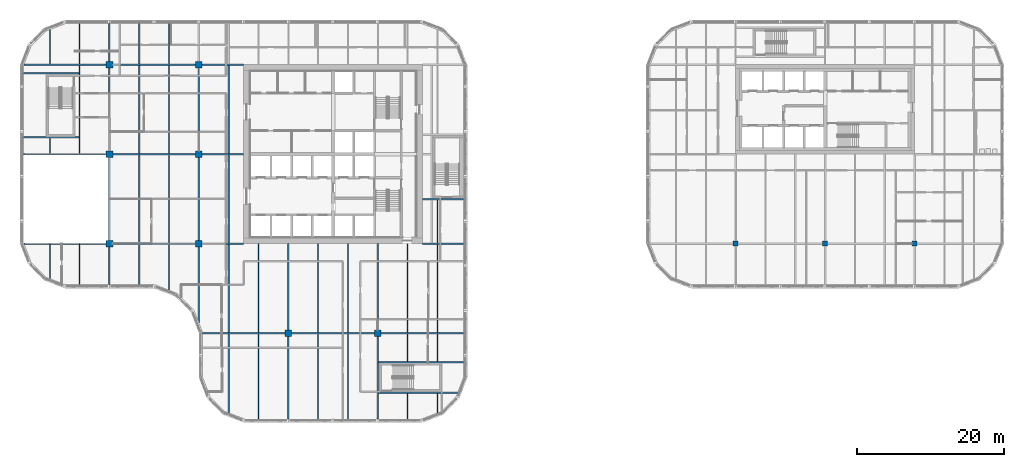
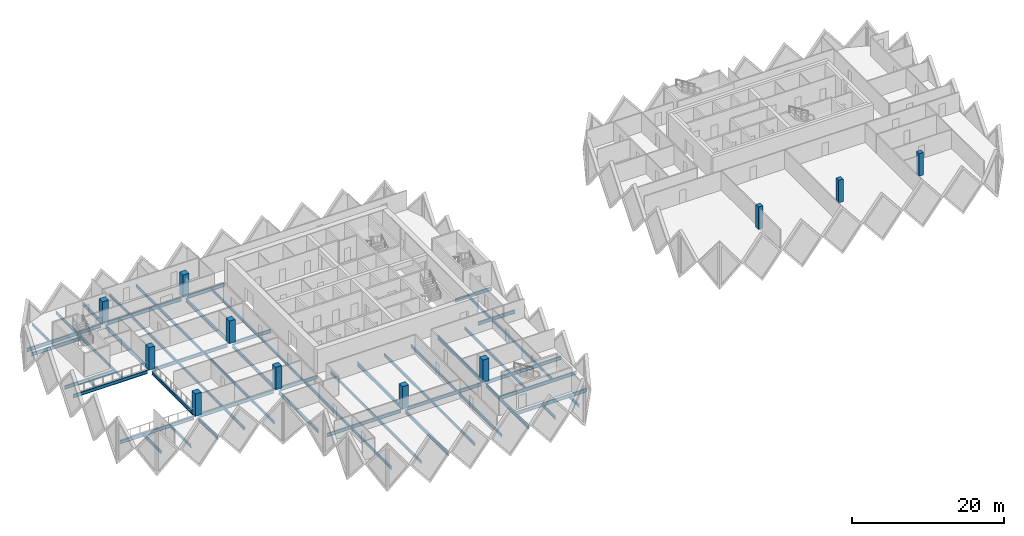
# One storey, part 1 of 19: 60 beams, 11 columns.
"""IFC4 building model written with IfcOpenShell, lengths in metres."""

from ifc_helpers import new_model, si_unit, direction, frame, origin, origin_2d, place, context, subcontext, project, spatial, rectangle, i_section, extrude, material, material_profile, profile_set, type_object, element, save


model = new_model("IFC4")

# Units and contexts
model_context = context("Model", 3, precision=1e-05, world=origin(), true_north=direction((0.0, 1.0)))
body_context = subcontext(model_context, "Body", "Model", "MODEL_VIEW")
ifc_project = project(units=[si_unit("LENGTHUNIT", "METRE"), si_unit("AREAUNIT", "SQUARE_METRE"), si_unit("VOLUMEUNIT", "CUBIC_METRE"), si_unit("PLANEANGLEUNIT", "RADIAN"), si_unit("MASSUNIT", "GRAM", prefix="KILO")], contexts=[model_context])

# Site, building, storey
site_placement = place(None, origin())
site = spatial("IfcSite", under=ifc_project, at=site_placement, CompositionType="ELEMENT")
building_placement = place(site_placement, origin())
building = spatial("IfcBuilding", under=site, at=building_placement, Name="Tessera Gate Towers", CompositionType="ELEMENT")
storey_placement = place(building_placement, frame((0.0, 0.0, 80.0)))
storey = spatial("IfcBuildingStorey", under=building, at=storey_placement, Name="L19", CompositionType="ELEMENT", Elevation=80.0)

# Columns
ifc_material_1 = material(Name="Concrete C70/85", Category="concrete")
ifc_material_profile_1 = material_profile(ifc_material_1, rectangle(XDim=0.699951171875, YDim=0.699951171875, at=origin_2d()), Name="RC 700x700")
ifc_profile_set_1 = profile_set([ifc_material_profile_1], Name="Concrete C70/85")
column_type_1 = type_object("IfcColumnType", Name="COLUMN RC 700x700", PredefinedType="COLUMN", material=ifc_profile_set_1)
for number, where, z_axis, x_axis, name in (
    (1, (97.60009765625, 24.39990234375, 0.0), (0.0, 0.0, 1.0), (1.0, 0.0, 0.0), "T2-COL-9C-L19"),
    (2, (109.800048828125, 24.39990234375, 0.0), (0.0, 0.0, 1.0), (1.0, 0.0, 0.0), "T2-COL-10C-L19"),
    (3, (122.0, 24.39990234375, 0.0), (0.0, 0.0, 1.0), (1.0, 0.0, 0.0), "T2-COL-11C-L19"),
):
    element("IfcColumn", number, at=place(storey_placement, frame(where, z_axis=z_axis, x_axis=x_axis)), inside=storey, type_object=column_type_1, Name=name, PredefinedType="COLUMN", context=body_context, shape_type="SweptSolid", body=[
        extrude(rectangle(XDim=0.699951171875, YDim=0.699951171875, at=origin_2d()), origin(), (0.0, 0.0, 1.0), 3.60009765625),
    ])
ifc_material_2 = material(Name="Concrete C70/85", Category="concrete")
ifc_material_profile_2 = material_profile(ifc_material_2, rectangle(XDim=0.89990234375, YDim=0.89990234375, at=origin_2d()), Name="RC 900x900")
ifc_profile_set_2 = profile_set([ifc_material_profile_2], Name="Concrete C70/85")
column_type_2 = type_object("IfcColumnType", Name="COLUMN RC 900x900", PredefinedType="COLUMN", material=ifc_profile_set_2)
for number, where, z_axis, x_axis, name in (
    (4, (12.199951171875, 24.39990234375, 0.0), (0.0, 0.0, 1.0), (1.0, 0.0, 0.0), "T1-COL-2C-L19"),
    (5, (12.199951171875, 36.60009765625, 0.0), (0.0, 0.0, 1.0), (1.0, 0.0, 0.0), "T1-COL-2D-L19"),
    (6, (12.199951171875, 48.800048828125, 0.0), (0.0, 0.0, 1.0), (1.0, 0.0, 0.0), "T1-COL-2E-L19"),
    (7, (24.39990234375, 24.39990234375, 0.0), (0.0, 0.0, 1.0), (1.0, 0.0, 0.0), "T1-COL-3C-L19"),
    (8, (24.39990234375, 36.60009765625, 0.0), (0.0, 0.0, 1.0), (1.0, 0.0, 0.0), "T1-COL-3D-L19"),
    (9, (24.39990234375, 48.800048828125, 0.0), (0.0, 0.0, 1.0), (1.0, 0.0, 0.0), "T1-COL-3E-L19"),
    (10, (36.60009765625, 12.199951171875, 0.0), (0.0, 0.0, 1.0), (1.0, 0.0, 0.0), "T1-COL-4B-L19"),
    (11, (48.800048828125, 12.199951171875, 0.0), (0.0, 0.0, 1.0), (1.0, 0.0, 0.0), "T1-COL-5B-L19"),
):
    element("IfcColumn", number, at=place(storey_placement, frame(where, z_axis=z_axis, x_axis=x_axis)), inside=storey, type_object=column_type_2, Name=name, PredefinedType="COLUMN", context=body_context, shape_type="SweptSolid", body=[
        extrude(rectangle(XDim=0.89990234375, YDim=0.89990234375, at=origin_2d()), origin(), (0.0, 0.0, 1.0), 3.60009765625),
    ])

# Beams
ifc_material_3 = material(Name="Steel 350W", Category="steel")
ifc_material_profile_3 = material_profile(ifc_material_3, i_section(OverallWidth=0.208984375, OverallDepth=0.532958984375, WebThickness=0.01025390625, FlangeThickness=0.015625, at=origin_2d()), Name="W530x92")
ifc_profile_set_3 = profile_set([ifc_material_profile_3], Name="Steel 350W")
beam_type_1 = type_object("IfcBeamType", Name="FLOOR GIRDER W530x92", PredefinedType="BEAM", material=ifc_profile_set_3)
beam_1_placement = place(storey_placement, frame((24.89892578125, 12.199951171875, -0.466552734375), z_axis=(1.0, 0.0, 0.0), x_axis=(0.0, 1.0, 0.0)))
element("IfcBeam", 12, at=beam_1_placement, inside=storey, type_object=beam_type_1, Name="T1-GD-L19-2582", PredefinedType="BEAM", context=body_context, shape_type="SweptSolid", body=[
    extrude(i_section(OverallWidth=0.208984375, OverallDepth=0.532958984375, WebThickness=0.01025390625, FlangeThickness=0.015625, at=origin_2d()), origin(), (0.0, 0.0, 1.0), 11.2509765625),
])
beam_2_placement = place(storey_placement, frame((37.050048828125, 12.199951171875, -0.466552734375), z_axis=(1.0, 0.0, 0.0), x_axis=(0.0, 1.0, 0.0)))
element("IfcBeam", 13, at=beam_2_placement, inside=storey, type_object=beam_type_1, Name="T1-GD-L19-2583", PredefinedType="BEAM", context=body_context, shape_type="SweptSolid", body=[
    extrude(i_section(OverallWidth=0.208984375, OverallDepth=0.532958984375, WebThickness=0.01025390625, FlangeThickness=0.015625, at=origin_2d()), origin(), (0.0, 0.0, 1.0), 11.300048828125),
])
beam_3_placement = place(storey_placement, frame((49.25, 12.199951171875, -0.466552734375), z_axis=(1.0, 0.0, 0.0), x_axis=(0.0, 1.0, 0.0)))
element("IfcBeam", 14, at=beam_3_placement, inside=storey, type_object=beam_type_1, Name="T1-GD-L19-2584", PredefinedType="BEAM", context=body_context, shape_type="SweptSolid", body=[
    extrude(i_section(OverallWidth=0.208984375, OverallDepth=0.532958984375, WebThickness=0.01025390625, FlangeThickness=0.015625, at=origin_2d()), origin(), (0.0, 0.0, 1.0), 11.2509765625),
])
beam_4_placement = place(storey_placement, frame((0.534912109375, 24.39990234375, -0.466552734375), z_axis=(1.0, 0.0, 0.0), x_axis=(0.0, 1.0, 0.0)))
element("IfcBeam", 15, at=beam_4_placement, inside=storey, type_object=beam_type_1, Name="T1-GD-L19-2585", PredefinedType="BEAM", context=body_context, shape_type="SweptSolid", body=[
    extrude(i_section(OverallWidth=0.208984375, OverallDepth=0.532958984375, WebThickness=0.01025390625, FlangeThickness=0.015625, at=origin_2d()), origin(), (0.0, 0.0, 1.0), 11.215087890625),
])
beam_5_placement = place(storey_placement, frame((12.64990234375, 24.39990234375, -0.466552734375), z_axis=(1.0, 0.0, 0.0), x_axis=(0.0, 1.0, 0.0)))
element("IfcBeam", 16, at=beam_5_placement, inside=storey, type_object=beam_type_1, Name="T1-GD-L19-2586", PredefinedType="BEAM", context=body_context, shape_type="SweptSolid", body=[
    extrude(i_section(OverallWidth=0.208984375, OverallDepth=0.532958984375, WebThickness=0.01025390625, FlangeThickness=0.015625, at=origin_2d()), origin(), (0.0, 0.0, 1.0), 11.300048828125),
])
beam_6_placement = place(storey_placement, frame((24.85009765625, 24.39990234375, -0.466552734375), z_axis=(1.0, 0.0, 0.0), x_axis=(0.0, 1.0, 0.0)))
element("IfcBeam", 17, at=beam_6_placement, inside=storey, type_object=beam_type_1, Name="T1-GD-L19-2587", PredefinedType="BEAM", context=body_context, shape_type="SweptSolid", body=[
    extrude(i_section(OverallWidth=0.208984375, OverallDepth=0.532958984375, WebThickness=0.01025390625, FlangeThickness=0.015625, at=origin_2d()), origin(), (0.0, 0.0, 1.0), 5.64892578125),
])
beam_7_placement = place(storey_placement, frame((54.90087890625, 24.39990234375, -0.466552734375), z_axis=(1.0, 0.0, 0.0), x_axis=(0.0, 1.0, 0.0)))
element("IfcBeam", 18, at=beam_7_placement, inside=storey, type_object=beam_type_1, Name="T1-GD-L19-2588", PredefinedType="BEAM", context=body_context, shape_type="SweptSolid", body=[
    extrude(i_section(OverallWidth=0.208984375, OverallDepth=0.532958984375, WebThickness=0.01025390625, FlangeThickness=0.015625, at=origin_2d()), origin(), (0.0, 0.0, 1.0), 5.60009765625),
])
beam_8_placement = place(storey_placement, frame((0.4990234375, 36.60009765625, -0.466552734375), z_axis=(1.0, 0.0, 0.0), x_axis=(0.0, 1.0, 0.0)))
element("IfcBeam", 19, at=beam_8_placement, inside=storey, type_object=beam_type_1, Name="T1-GD-L19-2589", PredefinedType="BEAM", context=body_context, shape_type="SweptSolid", body=[
    extrude(i_section(OverallWidth=0.208984375, OverallDepth=0.532958984375, WebThickness=0.01025390625, FlangeThickness=0.015625, at=origin_2d()), origin(), (0.0, 0.0, 1.0), 11.2509765625),
])
beam_9_placement = place(storey_placement, frame((12.64990234375, 36.60009765625, -0.466552734375), z_axis=(1.0, 0.0, 0.0), x_axis=(0.0, 1.0, 0.0)))
element("IfcBeam", 20, at=beam_9_placement, inside=storey, type_object=beam_type_1, Name="T1-GD-L19-2590", PredefinedType="BEAM", context=body_context, shape_type="SweptSolid", body=[
    extrude(i_section(OverallWidth=0.208984375, OverallDepth=0.532958984375, WebThickness=0.01025390625, FlangeThickness=0.015625, at=origin_2d()), origin(), (0.0, 0.0, 1.0), 11.300048828125),
])
beam_10_placement = place(storey_placement, frame((24.85009765625, 36.60009765625, -0.466552734375), z_axis=(1.0, 0.0, 0.0), x_axis=(0.0, 1.0, 0.0)))
element("IfcBeam", 21, at=beam_10_placement, inside=storey, type_object=beam_type_1, Name="T1-GD-L19-2591", PredefinedType="BEAM", context=body_context, shape_type="SweptSolid", body=[
    extrude(i_section(OverallWidth=0.208984375, OverallDepth=0.532958984375, WebThickness=0.01025390625, FlangeThickness=0.015625, at=origin_2d()), origin(), (0.0, 0.0, 1.0), 5.65087890625),
])
beam_11_placement = place(storey_placement, frame((0.534912109375, 48.800048828125, -0.466552734375), z_axis=(1.0, 0.0, 0.0), x_axis=(0.0, 1.0, 0.0)))
element("IfcBeam", 22, at=beam_11_placement, inside=storey, type_object=beam_type_1, Name="T1-GD-L19-2593", PredefinedType="BEAM", context=body_context, shape_type="SweptSolid", body=[
    extrude(i_section(OverallWidth=0.208984375, OverallDepth=0.532958984375, WebThickness=0.01025390625, FlangeThickness=0.015625, at=origin_2d()), origin(), (0.0, 0.0, 1.0), 11.215087890625),
])
beam_12_placement = place(storey_placement, frame((12.64990234375, 48.800048828125, -0.466552734375), z_axis=(1.0, 0.0, 0.0), x_axis=(0.0, 1.0, 0.0)))
element("IfcBeam", 23, at=beam_12_placement, inside=storey, type_object=beam_type_1, Name="T1-GD-L19-2594", PredefinedType="BEAM", context=body_context, shape_type="SweptSolid", body=[
    extrude(i_section(OverallWidth=0.208984375, OverallDepth=0.532958984375, WebThickness=0.01025390625, FlangeThickness=0.015625, at=origin_2d()), origin(), (0.0, 0.0, 1.0), 11.300048828125),
])
beam_13_placement = place(storey_placement, frame((24.85009765625, 48.800048828125, -0.466552734375), z_axis=(1.0, 0.0, 0.0), x_axis=(0.0, 1.0, 0.0)))
element("IfcBeam", 24, at=beam_13_placement, inside=storey, type_object=beam_type_1, Name="T1-GD-L19-2595", PredefinedType="BEAM", context=body_context, shape_type="SweptSolid", body=[
    extrude(i_section(OverallWidth=0.208984375, OverallDepth=0.532958984375, WebThickness=0.01025390625, FlangeThickness=0.015625, at=origin_2d()), origin(), (0.0, 0.0, 1.0), 5.64892578125),
])
beam_14_placement = place(storey_placement, frame((12.199951171875, 18.799072265625, -0.466552734375), z_axis=(0.0, 1.0, 0.0), x_axis=(-1.0, 0.0, 0.0)))
element("IfcBeam", 25, at=beam_14_placement, inside=storey, type_object=beam_type_1, Name="T1-GD-L19-2597", PredefinedType="BEAM", context=body_context, shape_type="SweptSolid", body=[
    extrude(i_section(OverallWidth=0.208984375, OverallDepth=0.532958984375, WebThickness=0.01025390625, FlangeThickness=0.015625, at=origin_2d()), origin(), (0.0, 0.0, 1.0), 5.15087890625),
])
beam_15_placement = place(storey_placement, frame((12.199951171875, 24.85009765625, -0.466552734375), z_axis=(0.0, 1.0, 0.0), x_axis=(-1.0, 0.0, 0.0)))
element("IfcBeam", 26, at=beam_15_placement, inside=storey, type_object=beam_type_1, Name="T1-GD-L19-2598", PredefinedType="BEAM", context=body_context, shape_type="SweptSolid", body=[
    extrude(i_section(OverallWidth=0.208984375, OverallDepth=0.532958984375, WebThickness=0.01025390625, FlangeThickness=0.015625, at=origin_2d()), origin(), (0.0, 0.0, 1.0), 11.2998046875),
])
beam_16_placement = place(storey_placement, frame((12.199951171875, 37.050048828125, -0.466552734375), z_axis=(0.0, 1.0, 0.0), x_axis=(-1.0, 0.0, 0.0)))
element("IfcBeam", 27, at=beam_16_placement, inside=storey, type_object=beam_type_1, Name="T1-GD-L19-2599", PredefinedType="BEAM", context=body_context, shape_type="SweptSolid", body=[
    extrude(i_section(OverallWidth=0.208984375, OverallDepth=0.532958984375, WebThickness=0.01025390625, FlangeThickness=0.015625, at=origin_2d()), origin(), (0.0, 0.0, 1.0), 11.300048828125),
])
beam_17_placement = place(storey_placement, frame((12.199951171875, 49.25, -0.466552734375), z_axis=(0.0, 1.0, 0.0), x_axis=(-1.0, 0.0, 0.0)))
element("IfcBeam", 28, at=beam_17_placement, inside=storey, type_object=beam_type_1, Name="T1-GD-L19-2600", PredefinedType="BEAM", context=body_context, shape_type="SweptSolid", body=[
    extrude(i_section(OverallWidth=0.208984375, OverallDepth=0.532958984375, WebThickness=0.01025390625, FlangeThickness=0.015625, at=origin_2d()), origin(), (0.0, 0.0, 1.0), 5.15087890625),
])
beam_18_placement = place(storey_placement, frame((24.39990234375, 13.58642578125, -0.466552734375), z_axis=(0.0, 1.0, 0.0), x_axis=(-1.0, 0.0, 0.0)))
element("IfcBeam", 29, at=beam_18_placement, inside=storey, type_object=beam_type_1, Name="T1-GD-L19-2601", PredefinedType="BEAM", context=body_context, shape_type="SweptSolid", body=[
    extrude(i_section(OverallWidth=0.208984375, OverallDepth=0.532958984375, WebThickness=0.01025390625, FlangeThickness=0.015625, at=origin_2d()), origin(), (0.0, 0.0, 1.0), 10.363525390625),
])
beam_19_placement = place(storey_placement, frame((24.39990234375, 24.85009765625, -0.466552734375), z_axis=(0.0, 1.0, 0.0), x_axis=(-1.0, 0.0, 0.0)))
element("IfcBeam", 30, at=beam_19_placement, inside=storey, type_object=beam_type_1, Name="T1-GD-L19-2602", PredefinedType="BEAM", context=body_context, shape_type="SweptSolid", body=[
    extrude(i_section(OverallWidth=0.208984375, OverallDepth=0.532958984375, WebThickness=0.01025390625, FlangeThickness=0.015625, at=origin_2d()), origin(), (0.0, 0.0, 1.0), 11.2998046875),
])
beam_20_placement = place(storey_placement, frame((24.39990234375, 37.050048828125, -0.466552734375), z_axis=(0.0, 1.0, 0.0), x_axis=(-1.0, 0.0, 0.0)))
element("IfcBeam", 31, at=beam_20_placement, inside=storey, type_object=beam_type_1, Name="T1-GD-L19-2603", PredefinedType="BEAM", context=body_context, shape_type="SweptSolid", body=[
    extrude(i_section(OverallWidth=0.208984375, OverallDepth=0.532958984375, WebThickness=0.01025390625, FlangeThickness=0.015625, at=origin_2d()), origin(), (0.0, 0.0, 1.0), 11.300048828125),
])
beam_21_placement = place(storey_placement, frame((36.60009765625, 0.4990234375, -0.466552734375), z_axis=(0.0, 1.0, 0.0), x_axis=(-1.0, 0.0, 0.0)))
element("IfcBeam", 32, at=beam_21_placement, inside=storey, type_object=beam_type_1, Name="T1-GD-L19-2605", PredefinedType="BEAM", context=body_context, shape_type="SweptSolid", body=[
    extrude(i_section(OverallWidth=0.208984375, OverallDepth=0.532958984375, WebThickness=0.01025390625, FlangeThickness=0.015625, at=origin_2d()), origin(), (0.0, 0.0, 1.0), 11.2509765625),
])
beam_22_placement = place(storey_placement, frame((36.60009765625, 12.64990234375, -0.466552734375), z_axis=(0.0, 1.0, 0.0), x_axis=(-1.0, 0.0, 0.0)))
element("IfcBeam", 33, at=beam_22_placement, inside=storey, type_object=beam_type_1, Name="T1-GD-L19-2606", PredefinedType="BEAM", context=body_context, shape_type="SweptSolid", body=[
    extrude(i_section(OverallWidth=0.208984375, OverallDepth=0.532958984375, WebThickness=0.01025390625, FlangeThickness=0.015625, at=origin_2d()), origin(), (0.0, 0.0, 1.0), 11.75),
])
beam_23_placement = place(storey_placement, frame((48.800048828125, 0.4990234375, -0.466552734375), z_axis=(0.0, 1.0, 0.0), x_axis=(-1.0, 0.0, 0.0)))
element("IfcBeam", 34, at=beam_23_placement, inside=storey, type_object=beam_type_1, Name="T1-GD-L19-2607", PredefinedType="BEAM", context=body_context, shape_type="SweptSolid", body=[
    extrude(i_section(OverallWidth=0.208984375, OverallDepth=0.532958984375, WebThickness=0.01025390625, FlangeThickness=0.015625, at=origin_2d()), origin(), (0.0, 0.0, 1.0), 11.2509765625),
])
beam_24_placement = place(storey_placement, frame((48.800048828125, 12.64990234375, -0.466552734375), z_axis=(0.0, 1.0, 0.0), x_axis=(-1.0, 0.0, 0.0)))
element("IfcBeam", 35, at=beam_24_placement, inside=storey, type_object=beam_type_1, Name="T1-GD-L19-2608", PredefinedType="BEAM", context=body_context, shape_type="SweptSolid", body=[
    extrude(i_section(OverallWidth=0.208984375, OverallDepth=0.532958984375, WebThickness=0.01025390625, FlangeThickness=0.015625, at=origin_2d()), origin(), (0.0, 0.0, 1.0), 11.75),
])
for number, where, z_axis, x_axis, name in (
    (36, (0.4990234375, 38.8798828125, -0.466552734375), (1.0, 0.0, 0.0), (0.0, 1.0, 0.0), "T1-GD-L19-2609"),
    (37, (0.4990234375, 47.6201171875, -0.466552734375), (1.0, 0.0, 0.0), (0.0, 1.0, 0.0), "T1-GD-L19-2610"),
):
    element("IfcBeam", number, at=place(storey_placement, frame(where, z_axis=z_axis, x_axis=x_axis)), inside=storey, type_object=beam_type_1, Name=name, PredefinedType="BEAM", context=body_context, shape_type="SweptSolid", body=[
        extrude(i_section(OverallWidth=0.208984375, OverallDepth=0.532958984375, WebThickness=0.01025390625, FlangeThickness=0.015625, at=origin_2d()), origin(), (0.0, 0.0, 1.0), 7.557861328125),
    ])
beam_25_placement = place(storey_placement, frame((48.87646484375, 4.080078125, -0.466552734375), z_axis=(1.0, 0.0, 0.0), x_axis=(0.0, 1.0, 0.0)))
element("IfcBeam", 38, at=beam_25_placement, inside=storey, type_object=beam_type_1, Name="T1-GD-L19-2611", PredefinedType="BEAM", context=body_context, shape_type="SweptSolid", body=[
    extrude(i_section(OverallWidth=0.208984375, OverallDepth=0.532958984375, WebThickness=0.01025390625, FlangeThickness=0.015625, at=origin_2d()), origin(), (0.0, 0.0, 1.0), 10.809326171875),
])
beam_26_placement = place(storey_placement, frame((48.87646484375, 8.219970703125, -0.466552734375), z_axis=(1.0, 0.0, 0.0), x_axis=(0.0, 1.0, 0.0)))
element("IfcBeam", 39, at=beam_26_placement, inside=storey, type_object=beam_type_1, Name="T1-GD-L19-2612", PredefinedType="BEAM", context=body_context, shape_type="SweptSolid", body=[
    extrude(i_section(OverallWidth=0.208984375, OverallDepth=0.532958984375, WebThickness=0.01025390625, FlangeThickness=0.015625, at=origin_2d()), origin(), (0.0, 0.0, 1.0), 11.62451171875),
])
beam_27_placement = place(storey_placement, frame((54.89892578125, 30.47998046875, -0.466552734375), z_axis=(1.0, 0.0, 0.0), x_axis=(0.0, 1.0, 0.0)))
element("IfcBeam", 40, at=beam_27_placement, inside=storey, type_object=beam_type_1, Name="T1-GD-L19-2613", PredefinedType="BEAM", context=body_context, shape_type="SweptSolid", body=[
    extrude(i_section(OverallWidth=0.208984375, OverallDepth=0.532958984375, WebThickness=0.01025390625, FlangeThickness=0.015625, at=origin_2d()), origin(), (0.0, 0.0, 1.0), 5.60205078125),
])
ifc_material_4 = material(Name="Steel 350W", Category="steel")
ifc_material_profile_4 = material_profile(ifc_material_4, i_section(OverallWidth=0.153076171875, OverallDepth=0.455078125, WebThickness=0.008056640625, FlangeThickness=0.01318359375, at=origin_2d()), Name="W460x60")
ifc_profile_set_4 = profile_set([ifc_material_profile_4], Name="Steel 350W")
beam_type_2 = type_object("IfcBeamType", Name="FLOOR SECONDARY W460x60", PredefinedType="BEAM", material=ifc_profile_set_4)
beam_28_placement = place(storey_placement, frame((4.066650390625, 19.620361328125, -0.427490234375), z_axis=(0.0, 1.0, 0.0), x_axis=(-1.0, 0.0, 0.0)))
element("IfcBeam", 41, at=beam_28_placement, inside=storey, type_object=beam_type_2, Name="T1-BM-L19-2616", PredefinedType="BEAM", context=body_context, shape_type="SweptSolid", body=[
    extrude(i_section(OverallWidth=0.153076171875, OverallDepth=0.455078125, WebThickness=0.008056640625, FlangeThickness=0.01318359375, at=origin_2d()), origin(), (0.0, 0.0, 1.0), 4.779541015625),
])
beam_29_placement = place(storey_placement, frame((4.066650390625, 36.70458984375, -0.427490234375), z_axis=(0.0, 1.0, 0.0), x_axis=(-1.0, 0.0, 0.0)))
element("IfcBeam", 42, at=beam_29_placement, inside=storey, type_object=beam_type_2, Name="T1-BM-L19-2617", PredefinedType="BEAM", context=body_context, shape_type="SweptSolid", body=[
    extrude(i_section(OverallWidth=0.153076171875, OverallDepth=0.455078125, WebThickness=0.008056640625, FlangeThickness=0.01318359375, at=origin_2d()), origin(), (0.0, 0.0, 1.0), 2.07080078125),
])
beam_30_placement = place(storey_placement, frame((4.066650390625, 48.904541015625, -0.427490234375), z_axis=(0.0, 1.0, 0.0), x_axis=(-1.0, 0.0, 0.0)))
element("IfcBeam", 43, at=beam_30_placement, inside=storey, type_object=beam_type_2, Name="T1-BM-L19-2618", PredefinedType="BEAM", context=body_context, shape_type="SweptSolid", body=[
    extrude(i_section(OverallWidth=0.153076171875, OverallDepth=0.455078125, WebThickness=0.008056640625, FlangeThickness=0.01318359375, at=origin_2d()), origin(), (0.0, 0.0, 1.0), 4.675048828125),
])
beam_31_placement = place(storey_placement, frame((8.13330078125, 18.800048828125, -0.427490234375), z_axis=(0.0, 1.0, 0.0), x_axis=(-1.0, 0.0, 0.0)))
element("IfcBeam", 44, at=beam_31_placement, inside=storey, type_object=beam_type_2, Name="T1-BM-L19-2619", PredefinedType="BEAM", context=body_context, shape_type="SweptSolid", body=[
    extrude(i_section(OverallWidth=0.153076171875, OverallDepth=0.455078125, WebThickness=0.008056640625, FlangeThickness=0.01318359375, at=origin_2d()), origin(), (0.0, 0.0, 1.0), 5.599853515625),
])
beam_32_placement = place(storey_placement, frame((8.13330078125, 36.70458984375, -0.427490234375), z_axis=(0.0, 1.0, 0.0), x_axis=(-1.0, 0.0, 0.0)))
element("IfcBeam", 45, at=beam_32_placement, inside=storey, type_object=beam_type_2, Name="T1-BM-L19-2620", PredefinedType="BEAM", context=body_context, shape_type="SweptSolid", body=[
    extrude(i_section(OverallWidth=0.153076171875, OverallDepth=0.455078125, WebThickness=0.008056640625, FlangeThickness=0.01318359375, at=origin_2d()), origin(), (0.0, 0.0, 1.0), 11.990966796875),
])
for number, where, z_axis, x_axis, name in (
    (46, (8.13330078125, 48.904541015625, -0.427490234375), (0.0, 1.0, 0.0), (-1.0, 0.0, 0.0), "T1-BM-L19-2621"),
    (47, (16.2666015625, 18.800048828125, -0.427490234375), (0.0, 1.0, 0.0), (-1.0, 0.0, 0.0), "T1-BM-L19-2622"),
):
    element("IfcBeam", number, at=place(storey_placement, frame(where, z_axis=z_axis, x_axis=x_axis)), inside=storey, type_object=beam_type_2, Name=name, PredefinedType="BEAM", context=body_context, shape_type="SweptSolid", body=[
        extrude(i_section(OverallWidth=0.153076171875, OverallDepth=0.455078125, WebThickness=0.008056640625, FlangeThickness=0.01318359375, at=origin_2d()), origin(), (0.0, 0.0, 1.0), 5.495361328125),
    ])
beam_33_placement = place(storey_placement, frame((16.2666015625, 24.50439453125, -0.427490234375), z_axis=(0.0, 1.0, 0.0), x_axis=(-1.0, 0.0, 0.0)))
element("IfcBeam", 48, at=beam_33_placement, inside=storey, type_object=beam_type_2, Name="T1-BM-L19-2623", PredefinedType="BEAM", context=body_context, shape_type="SweptSolid", body=[
    extrude(i_section(OverallWidth=0.153076171875, OverallDepth=0.455078125, WebThickness=0.008056640625, FlangeThickness=0.01318359375, at=origin_2d()), origin(), (0.0, 0.0, 1.0), 11.9912109375),
])
beam_34_placement = place(storey_placement, frame((16.2666015625, 36.70458984375, -0.427490234375), z_axis=(0.0, 1.0, 0.0), x_axis=(-1.0, 0.0, 0.0)))
element("IfcBeam", 49, at=beam_34_placement, inside=storey, type_object=beam_type_2, Name="T1-BM-L19-2624", PredefinedType="BEAM", context=body_context, shape_type="SweptSolid", body=[
    extrude(i_section(OverallWidth=0.153076171875, OverallDepth=0.455078125, WebThickness=0.008056640625, FlangeThickness=0.01318359375, at=origin_2d()), origin(), (0.0, 0.0, 1.0), 11.990966796875),
])
beam_35_placement = place(storey_placement, frame((16.2666015625, 48.904541015625, -0.427490234375), z_axis=(0.0, 1.0, 0.0), x_axis=(-1.0, 0.0, 0.0)))
element("IfcBeam", 50, at=beam_35_placement, inside=storey, type_object=beam_type_2, Name="T1-BM-L19-2625", PredefinedType="BEAM", context=body_context, shape_type="SweptSolid", body=[
    extrude(i_section(OverallWidth=0.153076171875, OverallDepth=0.455078125, WebThickness=0.008056640625, FlangeThickness=0.01318359375, at=origin_2d()), origin(), (0.0, 0.0, 1.0), 5.495361328125),
])
beam_36_placement = place(storey_placement, frame((20.333251953125, 18.051513671875, -0.427490234375), z_axis=(0.0, 1.0, 0.0), x_axis=(-1.0, 0.0, 0.0)))
element("IfcBeam", 51, at=beam_36_placement, inside=storey, type_object=beam_type_2, Name="T1-BM-L19-2626", PredefinedType="BEAM", context=body_context, shape_type="SweptSolid", body=[
    extrude(i_section(OverallWidth=0.153076171875, OverallDepth=0.455078125, WebThickness=0.008056640625, FlangeThickness=0.01318359375, at=origin_2d()), origin(), (0.0, 0.0, 1.0), 6.243896484375),
])
beam_37_placement = place(storey_placement, frame((20.333251953125, 24.50439453125, -0.427490234375), z_axis=(0.0, 1.0, 0.0), x_axis=(-1.0, 0.0, 0.0)))
element("IfcBeam", 52, at=beam_37_placement, inside=storey, type_object=beam_type_2, Name="T1-BM-L19-2627", PredefinedType="BEAM", context=body_context, shape_type="SweptSolid", body=[
    extrude(i_section(OverallWidth=0.153076171875, OverallDepth=0.455078125, WebThickness=0.008056640625, FlangeThickness=0.01318359375, at=origin_2d()), origin(), (0.0, 0.0, 1.0), 11.9912109375),
])
beam_38_placement = place(storey_placement, frame((20.333251953125, 36.70458984375, -0.427490234375), z_axis=(0.0, 1.0, 0.0), x_axis=(-1.0, 0.0, 0.0)))
element("IfcBeam", 53, at=beam_38_placement, inside=storey, type_object=beam_type_2, Name="T1-BM-L19-2628", PredefinedType="BEAM", context=body_context, shape_type="SweptSolid", body=[
    extrude(i_section(OverallWidth=0.153076171875, OverallDepth=0.455078125, WebThickness=0.008056640625, FlangeThickness=0.01318359375, at=origin_2d()), origin(), (0.0, 0.0, 1.0), 11.990966796875),
])
beam_39_placement = place(storey_placement, frame((20.333251953125, 48.904541015625, -0.427490234375), z_axis=(0.0, 1.0, 0.0), x_axis=(-1.0, 0.0, 0.0)))
element("IfcBeam", 54, at=beam_39_placement, inside=storey, type_object=beam_type_2, Name="T1-BM-L19-2629", PredefinedType="BEAM", context=body_context, shape_type="SweptSolid", body=[
    extrude(i_section(OverallWidth=0.153076171875, OverallDepth=0.455078125, WebThickness=0.008056640625, FlangeThickness=0.01318359375, at=origin_2d()), origin(), (0.0, 0.0, 1.0), 5.495361328125),
])
beam_40_placement = place(storey_placement, frame((28.466796875, 1.3203125, -0.427490234375), z_axis=(0.0, 1.0, 0.0), x_axis=(-1.0, 0.0, 0.0)))
element("IfcBeam", 55, at=beam_40_placement, inside=storey, type_object=beam_type_2, Name="T1-BM-L19-2630", PredefinedType="BEAM", context=body_context, shape_type="SweptSolid", body=[
    extrude(i_section(OverallWidth=0.153076171875, OverallDepth=0.455078125, WebThickness=0.008056640625, FlangeThickness=0.01318359375, at=origin_2d()), origin(), (0.0, 0.0, 1.0), 10.775146484375),
])
beam_41_placement = place(storey_placement, frame((28.466796875, 12.304443359375, -0.427490234375), z_axis=(0.0, 1.0, 0.0), x_axis=(-1.0, 0.0, 0.0)))
element("IfcBeam", 56, at=beam_41_placement, inside=storey, type_object=beam_type_2, Name="T1-BM-L19-2631", PredefinedType="BEAM", context=body_context, shape_type="SweptSolid", body=[
    extrude(i_section(OverallWidth=0.153076171875, OverallDepth=0.455078125, WebThickness=0.008056640625, FlangeThickness=0.01318359375, at=origin_2d()), origin(), (0.0, 0.0, 1.0), 11.990966796875),
])
beam_42_placement = place(storey_placement, frame((28.466796875, 24.50439453125, -0.427490234375), z_axis=(0.0, 1.0, 0.0), x_axis=(-1.0, 0.0, 0.0)))
element("IfcBeam", 57, at=beam_42_placement, inside=storey, type_object=beam_type_2, Name="T1-BM-L19-2632", PredefinedType="BEAM", context=body_context, shape_type="SweptSolid", body=[
    extrude(i_section(OverallWidth=0.153076171875, OverallDepth=0.455078125, WebThickness=0.008056640625, FlangeThickness=0.01318359375, at=origin_2d()), origin(), (0.0, 0.0, 1.0), 11.9912109375),
])
beam_43_placement = place(storey_placement, frame((28.466796875, 36.70458984375, -0.427490234375), z_axis=(0.0, 1.0, 0.0), x_axis=(-1.0, 0.0, 0.0)))
element("IfcBeam", 58, at=beam_43_placement, inside=storey, type_object=beam_type_2, Name="T1-BM-L19-2633", PredefinedType="BEAM", context=body_context, shape_type="SweptSolid", body=[
    extrude(i_section(OverallWidth=0.153076171875, OverallDepth=0.455078125, WebThickness=0.008056640625, FlangeThickness=0.01318359375, at=origin_2d()), origin(), (0.0, 0.0, 1.0), 11.990966796875),
])
beam_44_placement = place(storey_placement, frame((32.533203125, 0.5, -0.427490234375), z_axis=(0.0, 1.0, 0.0), x_axis=(-1.0, 0.0, 0.0)))
element("IfcBeam", 59, at=beam_44_placement, inside=storey, type_object=beam_type_2, Name="T1-BM-L19-2635", PredefinedType="BEAM", context=body_context, shape_type="SweptSolid", body=[
    extrude(i_section(OverallWidth=0.153076171875, OverallDepth=0.455078125, WebThickness=0.008056640625, FlangeThickness=0.01318359375, at=origin_2d()), origin(), (0.0, 0.0, 1.0), 11.595458984375),
])
beam_45_placement = place(storey_placement, frame((32.533203125, 12.304443359375, -0.427490234375), z_axis=(0.0, 1.0, 0.0), x_axis=(-1.0, 0.0, 0.0)))
element("IfcBeam", 60, at=beam_45_placement, inside=storey, type_object=beam_type_2, Name="T1-BM-L19-2636", PredefinedType="BEAM", context=body_context, shape_type="SweptSolid", body=[
    extrude(i_section(OverallWidth=0.153076171875, OverallDepth=0.455078125, WebThickness=0.008056640625, FlangeThickness=0.01318359375, at=origin_2d()), origin(), (0.0, 0.0, 1.0), 12.095458984375),
])
beam_46_placement = place(storey_placement, frame((40.666748046875, 0.5, -0.427490234375), z_axis=(0.0, 1.0, 0.0), x_axis=(-1.0, 0.0, 0.0)))
element("IfcBeam", 61, at=beam_46_placement, inside=storey, type_object=beam_type_2, Name="T1-BM-L19-2639", PredefinedType="BEAM", context=body_context, shape_type="SweptSolid", body=[
    extrude(i_section(OverallWidth=0.153076171875, OverallDepth=0.455078125, WebThickness=0.008056640625, FlangeThickness=0.01318359375, at=origin_2d()), origin(), (0.0, 0.0, 1.0), 11.595458984375),
])
beam_47_placement = place(storey_placement, frame((40.666748046875, 12.304443359375, -0.427490234375), z_axis=(0.0, 1.0, 0.0), x_axis=(-1.0, 0.0, 0.0)))
element("IfcBeam", 62, at=beam_47_placement, inside=storey, type_object=beam_type_2, Name="T1-BM-L19-2640", PredefinedType="BEAM", context=body_context, shape_type="SweptSolid", body=[
    extrude(i_section(OverallWidth=0.153076171875, OverallDepth=0.455078125, WebThickness=0.008056640625, FlangeThickness=0.01318359375, at=origin_2d()), origin(), (0.0, 0.0, 1.0), 12.095458984375),
])
beam_48_placement = place(storey_placement, frame((44.7333984375, 0.5, -0.427490234375), z_axis=(0.0, 1.0, 0.0), x_axis=(-1.0, 0.0, 0.0)))
element("IfcBeam", 63, at=beam_48_placement, inside=storey, type_object=beam_type_2, Name="T1-BM-L19-2642", PredefinedType="BEAM", context=body_context, shape_type="SweptSolid", body=[
    extrude(i_section(OverallWidth=0.153076171875, OverallDepth=0.455078125, WebThickness=0.008056640625, FlangeThickness=0.01318359375, at=origin_2d()), origin(), (0.0, 0.0, 1.0), 11.595458984375),
])
beam_49_placement = place(storey_placement, frame((44.7333984375, 12.304443359375, -0.427490234375), z_axis=(0.0, 1.0, 0.0), x_axis=(-1.0, 0.0, 0.0)))
element("IfcBeam", 64, at=beam_49_placement, inside=storey, type_object=beam_type_2, Name="T1-BM-L19-2643", PredefinedType="BEAM", context=body_context, shape_type="SweptSolid", body=[
    extrude(i_section(OverallWidth=0.153076171875, OverallDepth=0.455078125, WebThickness=0.008056640625, FlangeThickness=0.01318359375, at=origin_2d()), origin(), (0.0, 0.0, 1.0), 12.095458984375),
])
beam_50_placement = place(storey_placement, frame((52.86669921875, 0.5, -0.427490234375), z_axis=(0.0, 1.0, 0.0), x_axis=(-1.0, 0.0, 0.0)))
element("IfcBeam", 65, at=beam_50_placement, inside=storey, type_object=beam_type_2, Name="T1-BM-L19-2646", PredefinedType="BEAM", context=body_context, shape_type="SweptSolid", body=[
    extrude(i_section(OverallWidth=0.153076171875, OverallDepth=0.455078125, WebThickness=0.008056640625, FlangeThickness=0.01318359375, at=origin_2d()), origin(), (0.0, 0.0, 1.0), 3.4755859375),
])
beam_51_placement = place(storey_placement, frame((52.86669921875, 8.324462890625, -0.427490234375), z_axis=(0.0, 1.0, 0.0), x_axis=(-1.0, 0.0, 0.0)))
element("IfcBeam", 66, at=beam_51_placement, inside=storey, type_object=beam_type_2, Name="T1-BM-L19-2647", PredefinedType="BEAM", context=body_context, shape_type="SweptSolid", body=[
    extrude(i_section(OverallWidth=0.153076171875, OverallDepth=0.455078125, WebThickness=0.008056640625, FlangeThickness=0.01318359375, at=origin_2d()), origin(), (0.0, 0.0, 1.0), 3.77099609375),
])
beam_52_placement = place(storey_placement, frame((52.86669921875, 12.304443359375, -0.427490234375), z_axis=(0.0, 1.0, 0.0), x_axis=(-1.0, 0.0, 0.0)))
element("IfcBeam", 67, at=beam_52_placement, inside=storey, type_object=beam_type_2, Name="T1-BM-L19-2648", PredefinedType="BEAM", context=body_context, shape_type="SweptSolid", body=[
    extrude(i_section(OverallWidth=0.153076171875, OverallDepth=0.455078125, WebThickness=0.008056640625, FlangeThickness=0.01318359375, at=origin_2d()), origin(), (0.0, 0.0, 1.0), 12.095458984375),
])
beam_53_placement = place(storey_placement, frame((56.933349609375, 1.3203125, -0.427490234375), z_axis=(0.0, 1.0, 0.0), x_axis=(-1.0, 0.0, 0.0)))
element("IfcBeam", 68, at=beam_53_placement, inside=storey, type_object=beam_type_2, Name="T1-BM-L19-2650", PredefinedType="BEAM", context=body_context, shape_type="SweptSolid", body=[
    extrude(i_section(OverallWidth=0.153076171875, OverallDepth=0.455078125, WebThickness=0.008056640625, FlangeThickness=0.01318359375, at=origin_2d()), origin(), (0.0, 0.0, 1.0), 2.6552734375),
])
beam_54_placement = place(storey_placement, frame((56.933349609375, 8.324462890625, -0.427490234375), z_axis=(0.0, 1.0, 0.0), x_axis=(-1.0, 0.0, 0.0)))
element("IfcBeam", 69, at=beam_54_placement, inside=storey, type_object=beam_type_2, Name="T1-BM-L19-2651", PredefinedType="BEAM", context=body_context, shape_type="SweptSolid", body=[
    extrude(i_section(OverallWidth=0.153076171875, OverallDepth=0.455078125, WebThickness=0.008056640625, FlangeThickness=0.01318359375, at=origin_2d()), origin(), (0.0, 0.0, 1.0), 3.77099609375),
])
beam_55_placement = place(storey_placement, frame((56.933349609375, 12.304443359375, -0.427490234375), z_axis=(0.0, 1.0, 0.0), x_axis=(-1.0, 0.0, 0.0)))
element("IfcBeam", 70, at=beam_55_placement, inside=storey, type_object=beam_type_2, Name="T1-BM-L19-2652", PredefinedType="BEAM", context=body_context, shape_type="SweptSolid", body=[
    extrude(i_section(OverallWidth=0.153076171875, OverallDepth=0.455078125, WebThickness=0.008056640625, FlangeThickness=0.01318359375, at=origin_2d()), origin(), (0.0, 0.0, 1.0), 11.990966796875),
])
beam_56_placement = place(storey_placement, frame((56.933349609375, 24.50439453125, -0.427490234375), z_axis=(0.0, 1.0, 0.0), x_axis=(-1.0, 0.0, 0.0)))
element("IfcBeam", 71, at=beam_56_placement, inside=storey, type_object=beam_type_2, Name="T1-BM-L19-2653", PredefinedType="BEAM", context=body_context, shape_type="SweptSolid", body=[
    extrude(i_section(OverallWidth=0.153076171875, OverallDepth=0.455078125, WebThickness=0.008056640625, FlangeThickness=0.01318359375, at=origin_2d()), origin(), (0.0, 0.0, 1.0), 5.87109375),
])

save(model, "model.ifc")
